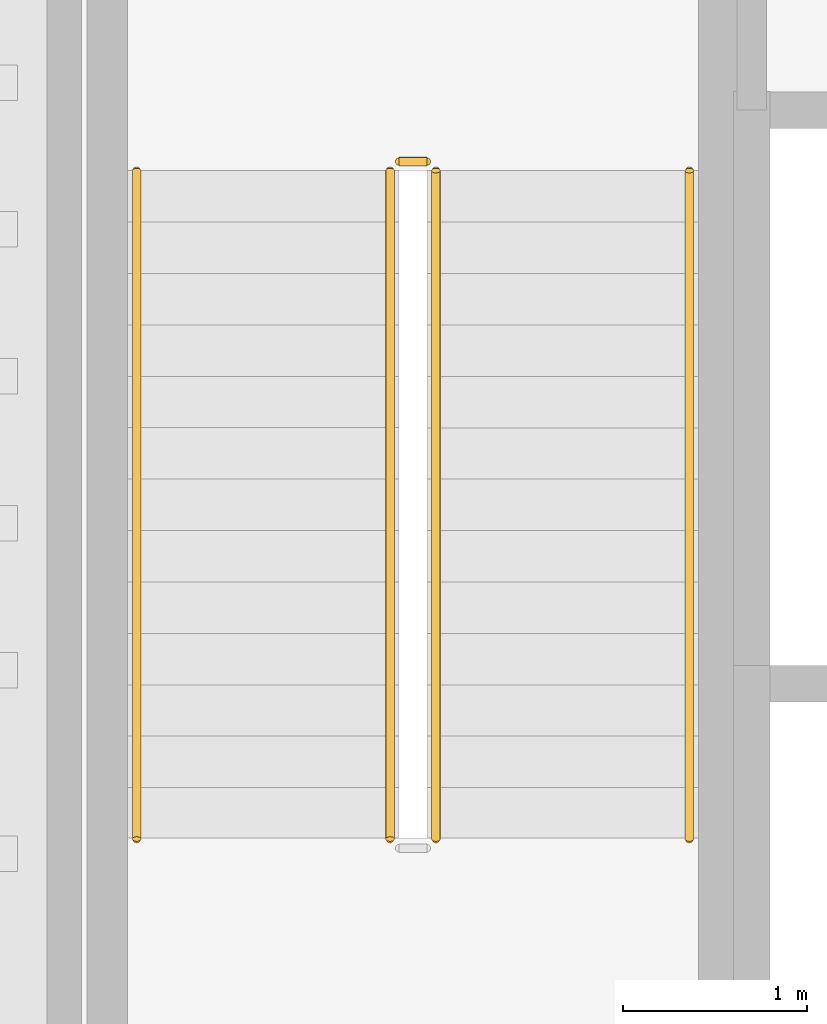
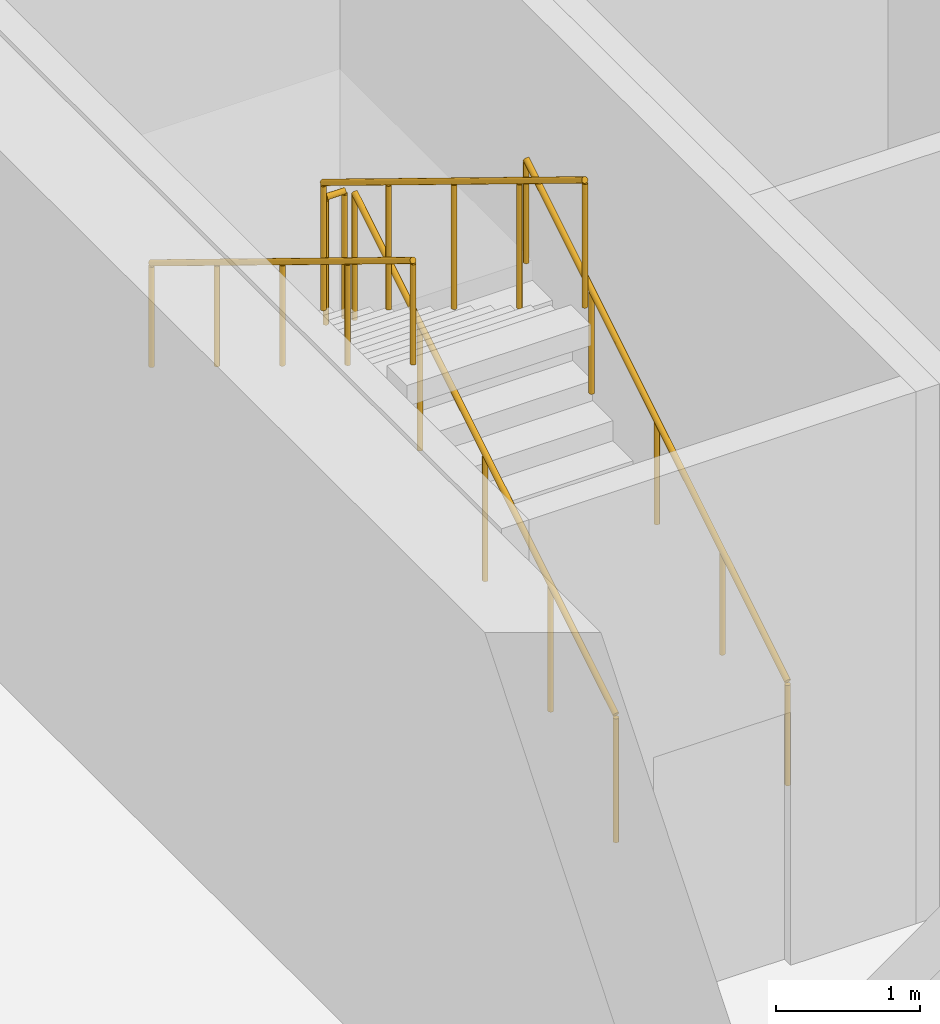
# One storey, part 9 of 10: 5 railings.
"""IFC4 building model written with IfcOpenShell, lengths in metres."""

from ifc_helpers import new_model, si_unit, direction, frame, origin, origin_2d, place, context, subcontext, project, spatial, circle, extrude, material, type_object, element, save


model = new_model("IFC4")

# Units and contexts
model_context = context("Model", 3, precision=1e-05, world=origin(), true_north=direction((0.0, 1.0)))
body_context = subcontext(model_context, "Body", "Model", "MODEL_VIEW")
ifc_project = project(units=[si_unit("LENGTHUNIT", "METRE"), si_unit("AREAUNIT", "SQUARE_METRE"), si_unit("VOLUMEUNIT", "CUBIC_METRE"), si_unit("PLANEANGLEUNIT", "RADIAN"), si_unit("MASSUNIT", "GRAM", prefix="KILO")], contexts=[model_context])

# Site, building, storey
site_placement = place(None, origin())
site = spatial("IfcSite", under=ifc_project, at=site_placement, CompositionType="ELEMENT")
building_placement = place(site_placement, origin())
building = spatial("IfcBuilding", under=site, at=building_placement, Name="Valdorenza Pilgrim Sanctuary Tower", CompositionType="ELEMENT")
storey_placement = place(building_placement, frame((0.0, 0.0, -4.800048828125)))
storey = spatial("IfcBuildingStorey", under=building, at=storey_placement, Name="B01", CompositionType="ELEMENT", Elevation=-4.800048828125)

# Railings
ifc_material_1 = material(Name="Stainless steel Grade 316", Category="steel")
railing_type_1 = type_object("IfcRailingType", Name="RLG-GRD-1120", PredefinedType="GUARDRAIL", material=ifc_material_1)
railing_1_placement = place(storey_placement, frame((-20.3701171875, 3.47998046875, 0.17138671875)))
element("IfcRailing", 1, at=railing_1_placement, inside=storey, type_object=railing_type_1, Name="B01 ST-A1 stair guard 1", PredefinedType="GUARDRAIL", context=body_context, shape_type="SweptSolid", body=[
    extrude(circle(Radius=0.02392578125, at=origin_2d()), frame((0.0, 0.0, 1.076171875), z_axis=(0.0, 0.852840387347, 0.522171689878), x_axis=(-1.0, 0.0, 0.0)), (0.0, 0.0, 1.0), 4.268310546875),
    extrude(circle(Radius=0.02099609375, at=origin_2d()), origin(), (0.0, 0.0, 1.0), 1.052001953125),
    extrude(circle(Radius=0.02099609375, at=origin_2d()), frame((0.0, 0.91015625, 0.55712890625)), (0.0, 0.0, 1.0), 1.052001953125),
    extrude(circle(Radius=0.02099609375, at=origin_2d()), frame((0.0, 1.820068359375, 1.1142578125)), (0.0, 0.0, 1.0), 1.052001953125),
    extrude(circle(Radius=0.02099609375, at=origin_2d()), frame((0.0, 2.72998046875, 1.671630859375)), (0.0, 0.0, 1.0), 1.052001953125),
    extrude(circle(Radius=0.02099609375, at=origin_2d()), frame((0.0, 3.64013671875, 2.228759765625)), (0.0, 0.0, 1.0), 1.052001953125),
])
railing_2_placement = place(storey_placement, frame((-20.419921875, 7.169921875, 2.400146484375)))
element("IfcRailing", 2, at=railing_2_placement, inside=storey, type_object=railing_type_1, Name="B01 ST-A1 stair guard 2", PredefinedType="GUARDRAIL", context=body_context, shape_type="SweptSolid", body=[
    extrude(circle(Radius=0.02392578125, at=origin_2d()), frame((0.0, 0.0, 1.076171875), z_axis=(-1.0, 0.0, 0.0), x_axis=(0.0, -1.0, 0.0)), (0.0, 0.0, 1.0), 0.150146484375),
    extrude(circle(Radius=0.02099609375, at=origin_2d()), origin(), (0.0, 0.0, 1.0), 1.052001953125),
    extrude(circle(Radius=0.02099609375, at=origin_2d()), frame((-0.150146484375, 0.0, 0.0)), (0.0, 0.0, 1.0), 1.052001953125),
])
railing_3_placement = place(storey_placement, frame((-20.6201171875, 7.1201171875, 2.571533203125)))
element("IfcRailing", 3, at=railing_3_placement, inside=storey, type_object=railing_type_1, Name="B01 ST-A1 stair guard 3", PredefinedType="GUARDRAIL", context=body_context, shape_type="SweptSolid", body=[
    extrude(circle(Radius=0.02392578125, at=origin_2d()), frame((0.0, 0.0, 1.076171875), z_axis=(0.0, -0.852865859571, 0.52213008492), x_axis=(1.0, 0.0, 0.0)), (0.0, 0.0, 1.0), 4.26806640625),
    extrude(circle(Radius=0.02099609375, at=origin_2d()), origin(), (0.0, 0.0, 1.0), 1.052001953125),
    extrude(circle(Radius=0.02099609375, at=origin_2d()), frame((0.0, -0.91015625, 0.55712890625)), (0.0, 0.0, 1.0), 1.052001953125),
    extrude(circle(Radius=0.02099609375, at=origin_2d()), frame((0.0, -1.820068359375, 1.1142578125)), (0.0, 0.0, 1.0), 1.052001953125),
    extrude(circle(Radius=0.02099609375, at=origin_2d()), frame((0.0, -2.72998046875, 1.67138671875)), (0.0, 0.0, 1.0), 1.052001953125),
    extrude(circle(Radius=0.02099609375, at=origin_2d()), frame((0.0, -3.64013671875, 2.228515625)), (0.0, 0.0, 1.0), 1.052001953125),
])
ifc_material_2 = material(Name="Brushed stainless steel Grade 316", Category="steel")
railing_type_2 = type_object("IfcRailingType", Name="RLG-HND-920", PredefinedType="HANDRAIL", material=ifc_material_2)
railing_4_placement = place(storey_placement, frame((-18.989990234375, 3.47998046875, 0.17138671875)))
element("IfcRailing", 4, at=railing_4_placement, inside=storey, type_object=railing_type_2, Name="B01 ST-A1 stair handrail 1", PredefinedType="HANDRAIL", context=body_context, shape_type="SweptSolid", body=[
    extrude(circle(Radius=0.02392578125, at=origin_2d()), frame((0.0, 0.0, 0.8759765625), z_axis=(0.0, 0.852840387347, 0.522171689878), x_axis=(-1.0, 0.0, 0.0)), (0.0, 0.0, 1.0), 4.268310546875),
    extrude(circle(Radius=0.02099609375, at=origin_2d()), origin(), (0.0, 0.0, 1.0), 0.851806640625),
    extrude(circle(Radius=0.02099609375, at=origin_2d()), frame((0.0, 0.91015625, 0.55712890625)), (0.0, 0.0, 1.0), 0.851806640625),
    extrude(circle(Radius=0.02099609375, at=origin_2d()), frame((0.0, 1.820068359375, 1.1142578125)), (0.0, 0.0, 1.0), 0.851806640625),
    extrude(circle(Radius=0.02099609375, at=origin_2d()), frame((0.0, 2.72998046875, 1.671630859375)), (0.0, 0.0, 1.0), 0.851806640625),
    extrude(circle(Radius=0.02099609375, at=origin_2d()), frame((0.0, 3.64013671875, 2.228759765625)), (0.0, 0.0, 1.0), 0.851806640625),
])
railing_5_placement = place(storey_placement, frame((-22.0, 7.1201171875, 2.571533203125)))
element("IfcRailing", 5, at=railing_5_placement, inside=storey, type_object=railing_type_2, Name="B01 ST-A1 stair handrail 2", PredefinedType="HANDRAIL", context=body_context, shape_type="SweptSolid", body=[
    extrude(circle(Radius=0.02392578125, at=origin_2d()), frame((0.0, 0.0, 0.8759765625), z_axis=(0.0, -0.852865859571, 0.52213008492), x_axis=(1.0, 0.0, 0.0)), (0.0, 0.0, 1.0), 4.26806640625),
    extrude(circle(Radius=0.02099609375, at=origin_2d()), origin(), (0.0, 0.0, 1.0), 0.851806640625),
    extrude(circle(Radius=0.02099609375, at=origin_2d()), frame((0.0, -0.91015625, 0.55712890625)), (0.0, 0.0, 1.0), 0.851806640625),
    extrude(circle(Radius=0.02099609375, at=origin_2d()), frame((0.0, -1.820068359375, 1.1142578125)), (0.0, 0.0, 1.0), 0.851806640625),
    extrude(circle(Radius=0.02099609375, at=origin_2d()), frame((0.0, -2.72998046875, 1.67138671875)), (0.0, 0.0, 1.0), 0.851806640625),
    extrude(circle(Radius=0.02099609375, at=origin_2d()), frame((0.0, -3.64013671875, 2.228515625)), (0.0, 0.0, 1.0), 0.851806640625),
])

save(model, "model.ifc")
